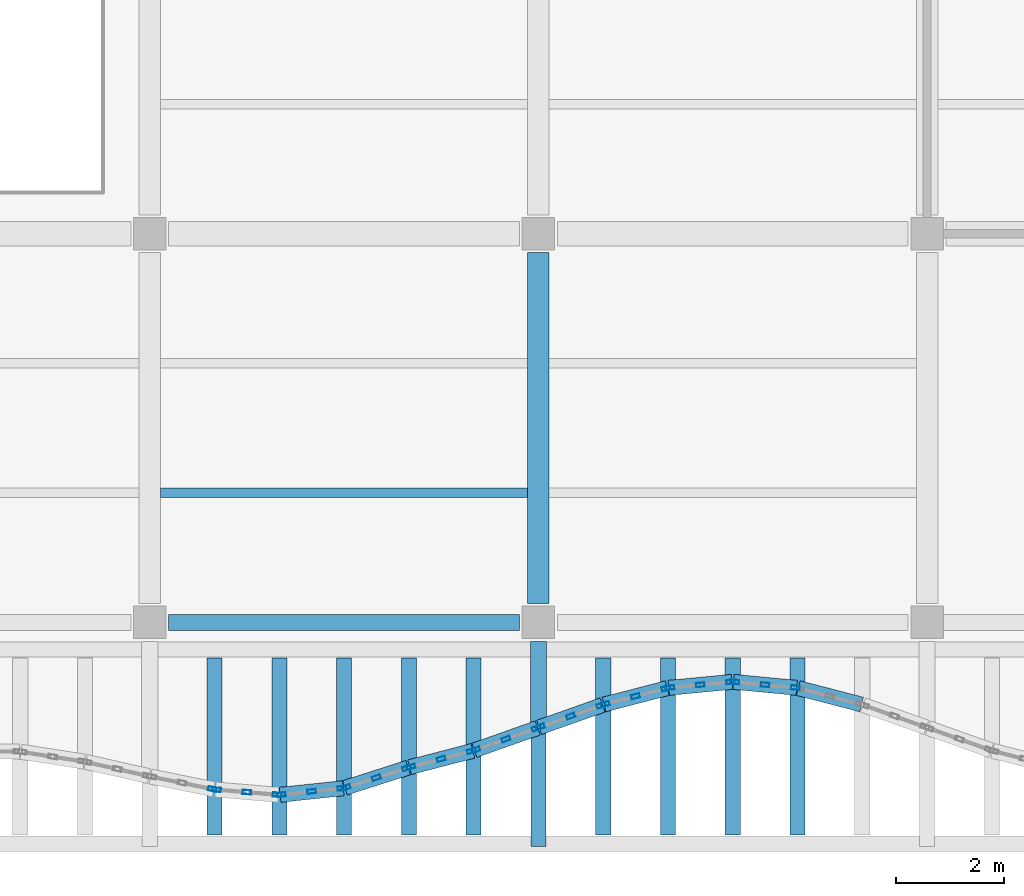
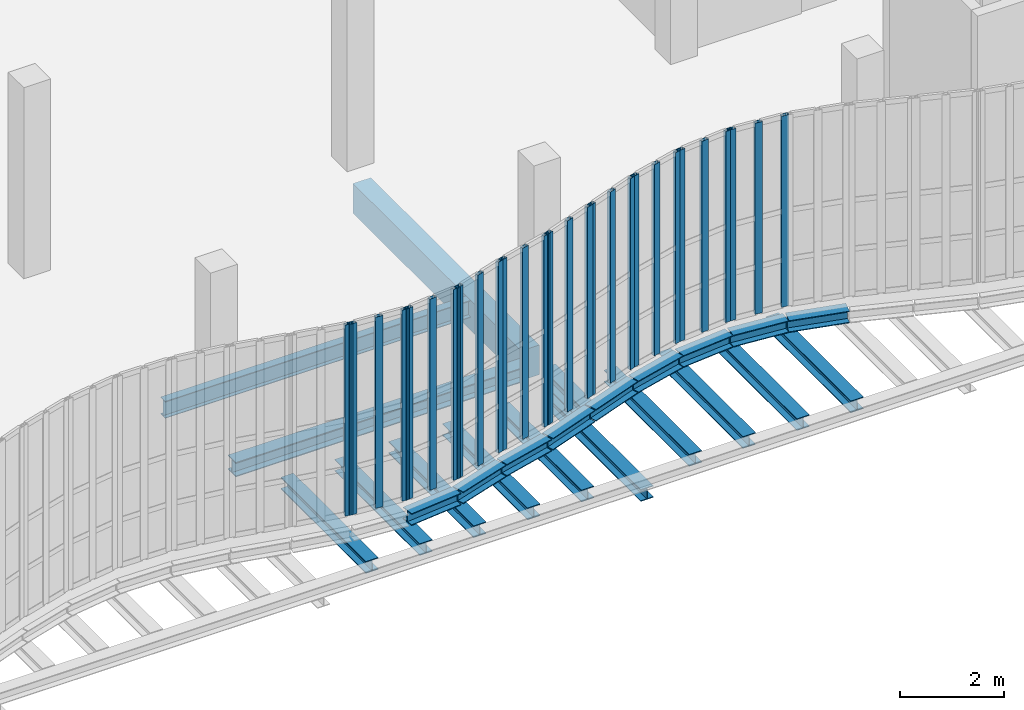
# One storey, part 29 of 105: 28 members, 23 beams, 10 elements without a shape of their own.
"""IFC4 building model written with IfcOpenShell, lengths in metres."""

from ifc_helpers import new_model, si_unit, direction, frame, origin, origin_2d, place, context, subcontext, project, spatial, rectangle, hollow_rectangle, i_section, extrude, material, layer, layer_set, material_profile, profile_set, type_object, element, aggregate, save


model = new_model("IFC4")

# Units and contexts
model_context = context("Model", 3, precision=1e-05, world=origin(), true_north=direction((0.0, 1.0)))
body_context = subcontext(model_context, "Body", "Model", "MODEL_VIEW")
ifc_project = project(units=[si_unit("LENGTHUNIT", "METRE"), si_unit("AREAUNIT", "SQUARE_METRE"), si_unit("VOLUMEUNIT", "CUBIC_METRE"), si_unit("PLANEANGLEUNIT", "RADIAN"), si_unit("MASSUNIT", "GRAM", prefix="KILO"), si_unit("THERMODYNAMICTEMPERATUREUNIT", "KELVIN"), si_unit("POWERUNIT", "WATT")], contexts=[model_context])

# Site, building, storey
site_placement = place(None, origin())
site = spatial("IfcSite", under=ifc_project, at=site_placement, CompositionType="ELEMENT")
building_placement = place(site_placement, origin())
building = spatial("IfcBuilding", under=site, at=building_placement, Name="Kaldorven Railside Theatre", CompositionType="ELEMENT")
storey_placement = place(building_placement, frame((0.0, 0.0, 9.89990234375)))
storey = spatial("IfcBuildingStorey", under=building, at=storey_placement, Name="L02", CompositionType="ELEMENT", Elevation=9.89990234375)

# Beams
ifc_material_1 = material(Name="Steel S355", Category="steel")
ifc_material_profile_1 = material_profile(ifc_material_1, i_section(OverallWidth=0.280029296875, OverallDepth=0.280029296875, WebThickness=0.010498046875, FlangeThickness=0.01806640625, at=origin_2d()), Name="HEB 280")
ifc_profile_set_1 = profile_set([ifc_material_profile_1], Name="Steel S355")
beam_type_1 = type_object("IfcBeamType", Name="BM-HEB280", PredefinedType="SPANDREL", material=ifc_profile_set_1)
beam_1_placement = place(storey_placement, frame((94.39990234375, 15.050048828125, -0.97998046875), z_axis=(0.0, 1.0, 0.0), x_axis=(-1.0, 0.0, 0.0)))
element("IfcBeam", 1, at=beam_1_placement, inside=storey, type_object=beam_type_1, Name="L02 Sinusoidal Lower Cantilever Girder FOB-K021", PredefinedType="SPANDREL", context=body_context, shape_type="SweptSolid", body=[
    extrude(i_section(OverallWidth=0.280029296875, OverallDepth=0.280029296875, WebThickness=0.010498046875, FlangeThickness=0.01806640625, at=origin_2d()), origin(), (0.0, 0.0, 1.0), 3.800048828125),
])
beam_2_placement = place(storey_placement, frame((88.39990234375, 15.260009765625, -0.699951171875), z_axis=(0.0, 1.0, 0.0), x_axis=(-1.0, 0.0, 0.0)))
element("IfcBeam", 2, at=beam_2_placement, inside=storey, type_object=beam_type_1, Name="L02 Sinusoidal Diaphragm Rib Outrigger FOB-M116", PredefinedType="SPANDREL", context=body_context, shape_type="SweptSolid", body=[
    extrude(i_section(OverallWidth=0.280029296875, OverallDepth=0.280029296875, WebThickness=0.010498046875, FlangeThickness=0.01806640625, at=origin_2d()), origin(), (0.0, 0.0, 1.0), 3.280029296875),
])
beam_3_placement = place(storey_placement, frame((89.614990234375, 16.005859375, -0.419921875), z_axis=(0.994538375892, 0.104371542473, 0.0), x_axis=(-0.104371542473, 0.994538375892, 0.0)))
element("IfcBeam", 3, at=beam_3_placement, inside=storey, type_object=beam_type_1, Name="L02 Sinusoidal Flute Edge Spandrel FSB-117", PredefinedType="SPANDREL", context=body_context, shape_type="SweptSolid", body=[
    extrude(i_section(OverallWidth=0.280029296875, OverallDepth=0.280029296875, WebThickness=0.010498046875, FlangeThickness=0.01806640625, at=origin_2d()), origin(), (0.0, 0.0, 1.0), 1.176513671875),
])
beam_4_placement = place(storey_placement, frame((89.60009765625, 15.260009765625, -0.699951171875), z_axis=(0.0, 1.0, 0.0), x_axis=(-1.0, 0.0, 0.0)))
element("IfcBeam", 4, at=beam_4_placement, inside=storey, type_object=beam_type_1, Name="L02 Sinusoidal Diaphragm Rib Outrigger FOB-M117", PredefinedType="SPANDREL", context=body_context, shape_type="SweptSolid", body=[
    extrude(i_section(OverallWidth=0.280029296875, OverallDepth=0.280029296875, WebThickness=0.010498046875, FlangeThickness=0.01806640625, at=origin_2d()), origin(), (0.0, 0.0, 1.0), 3.280029296875),
])
beam_5_placement = place(storey_placement, frame((90.814208984375, 16.135009765625, -0.419921875), z_axis=(0.952560057376, 0.304350681108, 0.0), x_axis=(-0.304350681108, 0.952560057376, 0.0)))
element("IfcBeam", 5, at=beam_5_placement, inside=storey, type_object=beam_type_1, Name="L02 Sinusoidal Flute Edge Spandrel FSB-118", PredefinedType="SPANDREL", context=body_context, shape_type="SweptSolid", body=[
    extrude(i_section(OverallWidth=0.280029296875, OverallDepth=0.280029296875, WebThickness=0.010498046875, FlangeThickness=0.01806640625, at=origin_2d()), origin(), (0.0, 0.0, 1.0), 1.229736328125),
])
beam_6_placement = place(storey_placement, frame((90.800048828125, 15.260009765625, -0.699951171875), z_axis=(0.0, 1.0, 0.0), x_axis=(-1.0, 0.0, 0.0)))
element("IfcBeam", 6, at=beam_6_placement, inside=storey, type_object=beam_type_1, Name="L02 Sinusoidal Diaphragm Rib Outrigger FOB-M118", PredefinedType="SPANDREL", context=body_context, shape_type="SweptSolid", body=[
    extrude(i_section(OverallWidth=0.280029296875, OverallDepth=0.280029296875, WebThickness=0.010498046875, FlangeThickness=0.01806640625, at=origin_2d()), origin(), (0.0, 0.0, 1.0), 3.280029296875),
])
beam_7_placement = place(storey_placement, frame((92.014404296875, 16.517578125, -0.419921875), z_axis=(0.967980555895, 0.25102518481, 0.0), x_axis=(-0.25102518481, 0.967980555895, 0.0)))
element("IfcBeam", 7, at=beam_7_placement, inside=storey, type_object=beam_type_1, Name="L02 Sinusoidal Flute Edge Spandrel FSB-119", PredefinedType="SPANDREL", context=body_context, shape_type="SweptSolid", body=[
    extrude(i_section(OverallWidth=0.280029296875, OverallDepth=0.280029296875, WebThickness=0.010498046875, FlangeThickness=0.01806640625, at=origin_2d()), origin(), (0.0, 0.0, 1.0), 1.2099609375),
])
beam_8_placement = place(storey_placement, frame((92.0, 15.260009765625, -0.699951171875), z_axis=(0.0, 1.0, 0.0), x_axis=(-1.0, 0.0, 0.0)))
element("IfcBeam", 8, at=beam_8_placement, inside=storey, type_object=beam_type_1, Name="L02 Sinusoidal Diaphragm Rib Outrigger FOB-M119", PredefinedType="SPANDREL", context=body_context, shape_type="SweptSolid", body=[
    extrude(i_section(OverallWidth=0.280029296875, OverallDepth=0.280029296875, WebThickness=0.010498046875, FlangeThickness=0.01806640625, at=origin_2d()), origin(), (0.0, 0.0, 1.0), 3.280029296875),
])
beam_9_placement = place(storey_placement, frame((93.214111328125, 16.830078125, -0.419921875), z_axis=(0.942627225161, 0.333847142245, 0.0), x_axis=(-0.333847142245, 0.942627225161, 0.0)))
element("IfcBeam", 9, at=beam_9_placement, inside=storey, type_object=beam_type_1, Name="L02 Sinusoidal Flute Edge Spandrel FSB-120", PredefinedType="SPANDREL", context=body_context, shape_type="SweptSolid", body=[
    extrude(i_section(OverallWidth=0.280029296875, OverallDepth=0.280029296875, WebThickness=0.010498046875, FlangeThickness=0.01806640625, at=origin_2d()), origin(), (0.0, 0.0, 1.0), 1.2431640625),
])
beam_10_placement = place(storey_placement, frame((93.199951171875, 15.260009765625, -0.699951171875), z_axis=(0.0, 1.0, 0.0), x_axis=(-1.0, 0.0, 0.0)))
element("IfcBeam", 10, at=beam_10_placement, inside=storey, type_object=beam_type_1, Name="L02 Sinusoidal Diaphragm Rib Outrigger FOB-M120", PredefinedType="SPANDREL", context=body_context, shape_type="SweptSolid", body=[
    extrude(i_section(OverallWidth=0.280029296875, OverallDepth=0.280029296875, WebThickness=0.010498046875, FlangeThickness=0.01806640625, at=origin_2d()), origin(), (0.0, 0.0, 1.0), 3.280029296875),
])
beam_11_placement = place(storey_placement, frame((94.4140625, 17.2548828125, -0.419921875), z_axis=(0.942627225161, 0.333847142245, 0.0), x_axis=(-0.333847142245, 0.942627225161, 0.0)))
element("IfcBeam", 11, at=beam_11_placement, inside=storey, type_object=beam_type_1, Name="L02 Sinusoidal Flute Edge Spandrel FSB-121", PredefinedType="SPANDREL", context=body_context, shape_type="SweptSolid", body=[
    extrude(i_section(OverallWidth=0.280029296875, OverallDepth=0.280029296875, WebThickness=0.010498046875, FlangeThickness=0.01806640625, at=origin_2d()), origin(), (0.0, 0.0, 1.0), 1.2431640625),
])
beam_12_placement = place(storey_placement, frame((95.614501953125, 17.6787109375, -0.419921875), z_axis=(0.967967836725, 0.251074226206, 0.0), x_axis=(-0.251074226206, 0.967967836725, 0.0)))
element("IfcBeam", 12, at=beam_12_placement, inside=storey, type_object=beam_type_1, Name="L02 Sinusoidal Flute Edge Spandrel FSB-122", PredefinedType="SPANDREL", context=body_context, shape_type="SweptSolid", body=[
    extrude(i_section(OverallWidth=0.280029296875, OverallDepth=0.280029296875, WebThickness=0.010498046875, FlangeThickness=0.01806640625, at=origin_2d()), origin(), (0.0, 0.0, 1.0), 1.209716796875),
])
beam_13_placement = place(storey_placement, frame((95.60009765625, 15.260009765625, -0.699951171875), z_axis=(0.0, 1.0, 0.0), x_axis=(-1.0, 0.0, 0.0)))
element("IfcBeam", 13, at=beam_13_placement, inside=storey, type_object=beam_type_1, Name="L02 Sinusoidal Diaphragm Rib Outrigger FOB-M122", PredefinedType="SPANDREL", context=body_context, shape_type="SweptSolid", body=[
    extrude(i_section(OverallWidth=0.280029296875, OverallDepth=0.280029296875, WebThickness=0.010498046875, FlangeThickness=0.01806640625, at=origin_2d()), origin(), (0.0, 0.0, 1.0), 3.280029296875),
])
beam_14_placement = place(storey_placement, frame((96.81494140625, 17.987548828125, -0.419921875), z_axis=(0.99552436473, 0.094505233873, 0.0), x_axis=(-0.094505233873, 0.99552436473, 0.0)))
element("IfcBeam", 14, at=beam_14_placement, inside=storey, type_object=beam_type_1, Name="L02 Sinusoidal Flute Edge Spandrel FSB-123", PredefinedType="SPANDREL", context=body_context, shape_type="SweptSolid", body=[
    extrude(i_section(OverallWidth=0.280029296875, OverallDepth=0.280029296875, WebThickness=0.010498046875, FlangeThickness=0.01806640625, at=origin_2d()), origin(), (0.0, 0.0, 1.0), 1.175537109375),
])
beam_15_placement = place(storey_placement, frame((96.800048828125, 15.260009765625, -0.699951171875), z_axis=(0.0, 1.0, 0.0), x_axis=(-1.0, 0.0, 0.0)))
element("IfcBeam", 15, at=beam_15_placement, inside=storey, type_object=beam_type_1, Name="L02 Sinusoidal Diaphragm Rib Outrigger FOB-M123", PredefinedType="SPANDREL", context=body_context, shape_type="SweptSolid", body=[
    extrude(i_section(OverallWidth=0.280029296875, OverallDepth=0.280029296875, WebThickness=0.010498046875, FlangeThickness=0.01806640625, at=origin_2d()), origin(), (0.0, 0.0, 1.0), 3.280029296875),
])
beam_16_placement = place(storey_placement, frame((98.014892578125, 18.0986328125, -0.419921875), z_axis=(0.99552436473, -0.094505233873, 0.0), x_axis=(0.094505233873, 0.99552436473, 0.0)))
element("IfcBeam", 16, at=beam_16_placement, inside=storey, type_object=beam_type_1, Name="L02 Sinusoidal Flute Edge Spandrel FSB-124", PredefinedType="SPANDREL", context=body_context, shape_type="SweptSolid", body=[
    extrude(i_section(OverallWidth=0.280029296875, OverallDepth=0.280029296875, WebThickness=0.010498046875, FlangeThickness=0.01806640625, at=origin_2d()), origin(), (0.0, 0.0, 1.0), 1.175537109375),
])
beam_17_placement = place(storey_placement, frame((98.0, 15.260009765625, -0.699951171875), z_axis=(0.0, 1.0, 0.0), x_axis=(-1.0, 0.0, 0.0)))
element("IfcBeam", 17, at=beam_17_placement, inside=storey, type_object=beam_type_1, Name="L02 Sinusoidal Diaphragm Rib Outrigger FOB-M124", PredefinedType="SPANDREL", context=body_context, shape_type="SweptSolid", body=[
    extrude(i_section(OverallWidth=0.280029296875, OverallDepth=0.280029296875, WebThickness=0.010498046875, FlangeThickness=0.01806640625, at=origin_2d()), origin(), (0.0, 0.0, 1.0), 3.280029296875),
])
beam_18_placement = place(storey_placement, frame((99.214599609375, 17.982421875, -0.419921875), z_axis=(0.967967836725, -0.251074226206, 0.0), x_axis=(0.251074226206, 0.967967836725, 0.0)))
element("IfcBeam", 18, at=beam_18_placement, inside=storey, type_object=beam_type_1, Name="L02 Sinusoidal Flute Edge Spandrel FSB-125", PredefinedType="SPANDREL", context=body_context, shape_type="SweptSolid", body=[
    extrude(i_section(OverallWidth=0.280029296875, OverallDepth=0.280029296875, WebThickness=0.010498046875, FlangeThickness=0.01806640625, at=origin_2d()), origin(), (0.0, 0.0, 1.0), 1.209716796875),
])
beam_19_placement = place(storey_placement, frame((99.199951171875, 15.260009765625, -0.699951171875), z_axis=(0.0, 1.0, 0.0), x_axis=(-1.0, 0.0, 0.0)))
element("IfcBeam", 19, at=beam_19_placement, inside=storey, type_object=beam_type_1, Name="L02 Sinusoidal Diaphragm Rib Outrigger FOB-M125", PredefinedType="SPANDREL", context=body_context, shape_type="SweptSolid", body=[
    extrude(i_section(OverallWidth=0.280029296875, OverallDepth=0.280029296875, WebThickness=0.010498046875, FlangeThickness=0.01806640625, at=origin_2d()), origin(), (0.0, 0.0, 1.0), 3.280029296875),
])
ifc_material_profile_2 = material_profile(ifc_material_1, i_section(OverallWidth=0.300048828125, OverallDepth=0.340087890625, WebThickness=0.011962890625, FlangeThickness=0.021484375, at=origin_2d()), Name="HEB 340")
ifc_profile_set_2 = profile_set([ifc_material_profile_2], Name="Steel S355")
beam_type_2 = type_object("IfcBeamType", Name="BM-HEB340", PredefinedType="SPANDREL", material=ifc_profile_set_2)
beam_20_placement = place(storey_placement, frame((87.550048828125, 19.199951171875, -0.449951171875), z_axis=(1.0, 0.0, 0.0), x_axis=(0.0, 1.0, 0.0)))
element("IfcBeam", 20, at=beam_20_placement, inside=storey, type_object=beam_type_2, Name="L02 Girder BGX-L02-087-019", PredefinedType="SPANDREL", context=body_context, shape_type="SweptSolid", body=[
    extrude(i_section(OverallWidth=0.300048828125, OverallDepth=0.340087890625, WebThickness=0.011962890625, FlangeThickness=0.021484375, at=origin_2d()), origin(), (0.0, 0.0, 1.0), 6.5),
])
beam_21_placement = place(storey_placement, frame((94.39990234375, 17.31005859375, -0.449951171875), z_axis=(0.0, 1.0, 0.0), x_axis=(-1.0, 0.0, 0.0)))
element("IfcBeam", 21, at=beam_21_placement, inside=storey, type_object=beam_type_2, Name="L02 Sinusoidal Veil Outrigger FOB-2094", PredefinedType="SPANDREL", context=body_context, shape_type="SweptSolid", body=[
    extrude(i_section(OverallWidth=0.300048828125, OverallDepth=0.340087890625, WebThickness=0.011962890625, FlangeThickness=0.021484375, at=origin_2d()), origin(), (0.0, 0.0, 1.0), 1.5400390625),
])
ifc_material_profile_3 = material_profile(ifc_material_1, i_section(OverallWidth=0.179931640625, OverallDepth=0.39990234375, WebThickness=0.008544921875, FlangeThickness=0.013427734375, at=origin_2d()), Name="IPE 400")
ifc_profile_set_3 = profile_set([ifc_material_profile_3], Name="Steel S355")
beam_type_3 = type_object("IfcBeamType", Name="BM-IPE400", PredefinedType="JOIST", material=ifc_profile_set_3)
beam_22_placement = place(storey_placement, frame((87.39990234375, 21.60009765625, -0.47998046875), z_axis=(1.0, 0.0, 0.0), x_axis=(0.0, 1.0, 0.0)))
element("IfcBeam", 22, at=beam_22_placement, inside=storey, type_object=beam_type_3, Name="L02 Secondary Floor Joist JG-L02-087-0216", PredefinedType="JOIST", context=body_context, shape_type="SweptSolid", body=[
    extrude(i_section(OverallWidth=0.179931640625, OverallDepth=0.39990234375, WebThickness=0.008544921875, FlangeThickness=0.013427734375, at=origin_2d()), origin(), (0.0, 0.0, 1.0), 6.800048828125),
])
ifc_material_2 = material(Name="Concrete C40/50", Category="concrete")
ifc_material_profile_4 = material_profile(ifc_material_2, rectangle(XDim=0.39990234375, YDim=0.699951171875, at=origin_2d()), Name="RC 400x700")
ifc_profile_set_4 = profile_set([ifc_material_profile_4], Name="Concrete C40/50")
beam_type_4 = type_object("IfcBeamType", Name="BM-RC400x700", PredefinedType="BEAM", material=ifc_profile_set_4)
beam_23_placement = place(storey_placement, frame((94.39990234375, 19.550048828125, -0.6298828125), z_axis=(0.0, 1.0, 0.0), x_axis=(-1.0, 0.0, 0.0)))
element("IfcBeam", 23, at=beam_23_placement, inside=storey, type_object=beam_type_4, Name="L02 Girder BGY-L02-094-019-72", PredefinedType="BEAM", context=body_context, shape_type="SweptSolid", body=[
    extrude(rectangle(XDim=0.39990234375, YDim=0.699951171875, at=origin_2d()), origin(), (0.0, 0.0, 1.0), 6.5),
])

# Curtain wall, member
ifc_material_3 = material(Name="Low-E laminated solar-control glass", Category="glass")
ifc_layer_1 = layer(ifc_material_3, 0.159912109375, Name="Low-E laminated solar-control glass")
ifc_layer_set_1 = layer_set([ifc_layer_1], Name="Low-E laminated solar-control glass")
curtain_wall_type_1 = type_object("IfcCurtainWallType", Name="CWT-07", PredefinedType="USERDEFINED", material=ifc_layer_set_1)
curtain_wall_1_placement = place(storey_placement, origin())
curtain_wall_1 = element("IfcCurtainWall", 24, at=curtain_wall_1_placement, inside=storey, type_object=curtain_wall_type_1, Name="Sinusoidal Fluted Curtain Wall CW-L02-S43", ObjectType="FLUTED GLAZING", PredefinedType="USERDEFINED")
ifc_material_4 = material(Name="Anodised bronze aluminium", Category="aluminium")
ifc_material_profile_5 = material_profile(ifc_material_4, hollow_rectangle(XDim=0.080078125, YDim=0.159912109375, WallThickness=0.00634765625, at=origin_2d()), Name="RHS 160x80x6.3")
ifc_profile_set_5 = profile_set([ifc_material_profile_5], Name="Anodised bronze aluminium")
member_type = type_object("IfcMemberType", Name="CWM-160", PredefinedType="MULLION", material=ifc_profile_set_5)
member_1_placement = place(storey_placement, frame((88.36083984375, 16.1123046875, 0.0), z_axis=(0.0, 0.0, 1.0), x_axis=(0.198393134453, 0.980122525097, 0.0)))
member_1 = element("IfcMember", 25, at=member_1_placement, type_object=member_type, Name="CW-L02-S43 mullion 3", PredefinedType="MULLION", context=body_context, shape_type="SweptSolid", body=[
    extrude(hollow_rectangle(XDim=0.080078125, YDim=0.159912109375, WallThickness=0.00634765625, at=origin_2d()), origin(), (0.0, 0.0, 1.0), 4.5),
])
aggregate(curtain_wall_1, [member_1])

# Curtain wall, members
ifc_layer_2 = layer(ifc_material_3, 0.159912109375, Name="Low-E laminated solar-control glass")
ifc_layer_set_2 = layer_set([ifc_layer_2], Name="Low-E laminated solar-control glass")
curtain_wall_type_2 = type_object("IfcCurtainWallType", Name="CWT-03", PredefinedType="USERDEFINED", material=ifc_layer_set_2)
curtain_wall_2_placement = place(storey_placement, origin())
curtain_wall_2 = element("IfcCurtainWall", 26, at=curtain_wall_2_placement, inside=storey, type_object=curtain_wall_type_2, Name="Sinusoidal Fluted Curtain Wall CW-L02-S44", ObjectType="FLUTED GLAZING", PredefinedType="USERDEFINED")
member_2_placement = place(storey_placement, frame((88.43994140625, 16.10107421875, 0.0), z_axis=(0.0, 0.0, 1.0), x_axis=(0.08321042194, 0.996531999326, 0.0)))
member_2 = element("IfcMember", 27, at=member_2_placement, type_object=member_type, Name="CW-L02-S44 mullion 1", PredefinedType="MULLION", context=body_context, shape_type="SweptSolid", body=[
    extrude(hollow_rectangle(XDim=0.080078125, YDim=0.159912109375, WallThickness=0.00634765625, at=origin_2d()), origin(), (0.0, 0.0, 1.0), 4.5),
])
member_3_placement = place(storey_placement, frame((89.0, 16.05419921875, 0.0), z_axis=(0.0, 0.0, 1.0), x_axis=(0.08321042194, 0.996531999326, 0.0)))
member_3 = element("IfcMember", 28, at=member_3_placement, type_object=member_type, Name="CW-L02-S44 mullion 2", PredefinedType="MULLION", context=body_context, shape_type="SweptSolid", body=[
    extrude(hollow_rectangle(XDim=0.080078125, YDim=0.159912109375, WallThickness=0.00634765625, at=origin_2d()), origin(), (0.0, 0.0, 1.0), 4.5),
])
member_4_placement = place(storey_placement, frame((89.56005859375, 16.007568359375, 0.0), z_axis=(0.0, 0.0, 1.0), x_axis=(0.08321042194, 0.996531999326, 0.0)))
member_4 = element("IfcMember", 29, at=member_4_placement, type_object=member_type, Name="CW-L02-S44 mullion 3", PredefinedType="MULLION", context=body_context, shape_type="SweptSolid", body=[
    extrude(hollow_rectangle(XDim=0.080078125, YDim=0.159912109375, WallThickness=0.00634765625, at=origin_2d()), origin(), (0.0, 0.0, 1.0), 4.5),
])
aggregate(curtain_wall_2, [member_2, member_3, member_4])

curtain_wall_3_placement = place(storey_placement, origin())
curtain_wall_3 = element("IfcCurtainWall", 30, at=curtain_wall_3_placement, inside=storey, type_object=curtain_wall_type_2, Name="Sinusoidal Fluted Curtain Wall CW-L02-S45", ObjectType="FLUTED GLAZING", PredefinedType="USERDEFINED")
member_5_placement = place(storey_placement, frame((89.639892578125, 16.00830078125, 0.0), z_axis=(0.0, 0.0, 1.0), x_axis=(-0.104507902898, 0.994524056135, 0.0)))
member_5 = element("IfcMember", 31, at=member_5_placement, type_object=member_type, Name="CW-L02-S45 mullion 1", PredefinedType="MULLION", context=body_context, shape_type="SweptSolid", body=[
    extrude(hollow_rectangle(XDim=0.080078125, YDim=0.159912109375, WallThickness=0.00634765625, at=origin_2d()), origin(), (0.0, 0.0, 1.0), 4.5),
])
member_6_placement = place(storey_placement, frame((90.199951171875, 16.067138671875, 0.0), z_axis=(0.0, 0.0, 1.0), x_axis=(-0.104507902898, 0.994524056135, 0.0)))
member_6 = element("IfcMember", 32, at=member_6_placement, type_object=member_type, Name="CW-L02-S45 mullion 2", PredefinedType="MULLION", context=body_context, shape_type="SweptSolid", body=[
    extrude(hollow_rectangle(XDim=0.080078125, YDim=0.159912109375, WallThickness=0.00634765625, at=origin_2d()), origin(), (0.0, 0.0, 1.0), 4.5),
])
member_7_placement = place(storey_placement, frame((90.76025390625, 16.126220703125, 0.0), z_axis=(0.0, 0.0, 1.0), x_axis=(-0.104507902898, 0.994524056135, 0.0)))
member_7 = element("IfcMember", 33, at=member_7_placement, type_object=member_type, Name="CW-L02-S45 mullion 3", PredefinedType="MULLION", context=body_context, shape_type="SweptSolid", body=[
    extrude(hollow_rectangle(XDim=0.080078125, YDim=0.159912109375, WallThickness=0.00634765625, at=origin_2d()), origin(), (0.0, 0.0, 1.0), 4.5),
])
aggregate(curtain_wall_3, [member_5, member_6, member_7])

ifc_layer_3 = layer(ifc_material_3, 0.159912109375, Name="Low-E laminated solar-control glass")
ifc_layer_set_3 = layer_set([ifc_layer_3], Name="Low-E laminated solar-control glass")
curtain_wall_type_3 = type_object("IfcCurtainWallType", Name="CWT-04", PredefinedType="USERDEFINED", material=ifc_layer_set_3)
curtain_wall_4_placement = place(storey_placement, origin())
curtain_wall_4 = element("IfcCurtainWall", 34, at=curtain_wall_4_placement, inside=storey, type_object=curtain_wall_type_3, Name="Sinusoidal Fluted Curtain Wall CW-L02-S46", ObjectType="FLUTED GLAZING", PredefinedType="USERDEFINED")
member_8_placement = place(storey_placement, frame((90.838134765625, 16.142578125, 0.0), z_axis=(0.0, 0.0, 1.0), x_axis=(-0.304487700272, 0.952516267779, 0.0)))
member_8 = element("IfcMember", 35, at=member_8_placement, type_object=member_type, Name="CW-L02-S46 mullion 1", PredefinedType="MULLION", context=body_context, shape_type="SweptSolid", body=[
    extrude(hollow_rectangle(XDim=0.080078125, YDim=0.159912109375, WallThickness=0.00634765625, at=origin_2d()), origin(), (0.0, 0.0, 1.0), 4.5),
])
member_9_placement = place(storey_placement, frame((91.39990234375, 16.322021484375, 0.0), z_axis=(0.0, 0.0, 1.0), x_axis=(-0.304487700272, 0.952516267779, 0.0)))
member_9 = element("IfcMember", 36, at=member_9_placement, type_object=member_type, Name="CW-L02-S46 mullion 2", PredefinedType="MULLION", context=body_context, shape_type="SweptSolid", body=[
    extrude(hollow_rectangle(XDim=0.080078125, YDim=0.159912109375, WallThickness=0.00634765625, at=origin_2d()), origin(), (0.0, 0.0, 1.0), 4.5),
])
member_10_placement = place(storey_placement, frame((91.9619140625, 16.501708984375, 0.0), z_axis=(0.0, 0.0, 1.0), x_axis=(-0.304487700272, 0.952516267779, 0.0)))
member_10 = element("IfcMember", 37, at=member_10_placement, type_object=member_type, Name="CW-L02-S46 mullion 3", PredefinedType="MULLION", context=body_context, shape_type="SweptSolid", body=[
    extrude(hollow_rectangle(XDim=0.080078125, YDim=0.159912109375, WallThickness=0.00634765625, at=origin_2d()), origin(), (0.0, 0.0, 1.0), 4.5),
])
aggregate(curtain_wall_4, [member_8, member_9, member_10])

ifc_layer_4 = layer(ifc_material_3, 0.159912109375, Name="Low-E laminated solar-control glass")
ifc_layer_set_4 = layer_set([ifc_layer_4], Name="Low-E laminated solar-control glass")
curtain_wall_type_4 = type_object("IfcCurtainWallType", Name="CWT-02", PredefinedType="USERDEFINED", material=ifc_layer_set_4)
curtain_wall_5_placement = place(storey_placement, origin())
curtain_wall_5 = element("IfcCurtainWall", 38, at=curtain_wall_5_placement, inside=storey, type_object=curtain_wall_type_4, Name="Sinusoidal Fluted Curtain Wall CW-L02-S47", ObjectType="FLUTED GLAZING", PredefinedType="USERDEFINED")
member_11_placement = place(storey_placement, frame((92.038818359375, 16.52392578125, 0.0), z_axis=(0.0, 0.0, 1.0), x_axis=(-0.250953760326, 0.967999075505, 0.0)))
member_11 = element("IfcMember", 39, at=member_11_placement, type_object=member_type, Name="CW-L02-S47 mullion 1", PredefinedType="MULLION", context=body_context, shape_type="SweptSolid", body=[
    extrude(hollow_rectangle(XDim=0.080078125, YDim=0.159912109375, WallThickness=0.00634765625, at=origin_2d()), origin(), (0.0, 0.0, 1.0), 4.5),
])
member_12_placement = place(storey_placement, frame((92.60009765625, 16.66943359375, 0.0), z_axis=(0.0, 0.0, 1.0), x_axis=(-0.250953760326, 0.967999075505, 0.0)))
member_12 = element("IfcMember", 40, at=member_12_placement, type_object=member_type, Name="CW-L02-S47 mullion 2", PredefinedType="MULLION", context=body_context, shape_type="SweptSolid", body=[
    extrude(hollow_rectangle(XDim=0.080078125, YDim=0.159912109375, WallThickness=0.00634765625, at=origin_2d()), origin(), (0.0, 0.0, 1.0), 4.5),
])
member_13_placement = place(storey_placement, frame((93.161376953125, 16.81494140625, 0.0), z_axis=(0.0, 0.0, 1.0), x_axis=(-0.250953760326, 0.967999075505, 0.0)))
member_13 = element("IfcMember", 41, at=member_13_placement, type_object=member_type, Name="CW-L02-S47 mullion 3", PredefinedType="MULLION", context=body_context, shape_type="SweptSolid", body=[
    extrude(hollow_rectangle(XDim=0.080078125, YDim=0.159912109375, WallThickness=0.00634765625, at=origin_2d()), origin(), (0.0, 0.0, 1.0), 4.5),
])
aggregate(curtain_wall_5, [member_11, member_12, member_13])

ifc_layer_5 = layer(ifc_material_3, 0.159912109375, Name="Low-E laminated solar-control glass")
ifc_layer_set_5 = layer_set([ifc_layer_5], Name="Low-E laminated solar-control glass")
curtain_wall_type_5 = type_object("IfcCurtainWallType", Name="CWT-01", PredefinedType="USERDEFINED", material=ifc_layer_set_5)
curtain_wall_6_placement = place(storey_placement, origin())
curtain_wall_6 = element("IfcCurtainWall", 42, at=curtain_wall_6_placement, inside=storey, type_object=curtain_wall_type_5, Name="Sinusoidal Fluted Curtain Wall CW-L02-S48", ObjectType="FLUTED GLAZING", PredefinedType="USERDEFINED")
member_14_placement = place(storey_placement, frame((93.23779296875, 16.83837890625, 0.0), z_axis=(0.0, 0.0, 1.0), x_axis=(-0.33384714225, 0.942627225159, 0.0)))
member_14 = element("IfcMember", 43, at=member_14_placement, type_object=member_type, Name="CW-L02-S48 mullion 1", PredefinedType="MULLION", context=body_context, shape_type="SweptSolid", body=[
    extrude(hollow_rectangle(XDim=0.080078125, YDim=0.159912109375, WallThickness=0.00634765625, at=origin_2d()), origin(), (0.0, 0.0, 1.0), 4.5),
])
member_15_placement = place(storey_placement, frame((93.800048828125, 17.03759765625, 0.0), z_axis=(0.0, 0.0, 1.0), x_axis=(-0.33384714225, 0.942627225159, 0.0)))
member_15 = element("IfcMember", 44, at=member_15_placement, type_object=member_type, Name="CW-L02-S48 mullion 2", PredefinedType="MULLION", context=body_context, shape_type="SweptSolid", body=[
    extrude(hollow_rectangle(XDim=0.080078125, YDim=0.159912109375, WallThickness=0.00634765625, at=origin_2d()), origin(), (0.0, 0.0, 1.0), 4.5),
])
member_16_placement = place(storey_placement, frame((94.3623046875, 17.236572265625, 0.0), z_axis=(0.0, 0.0, 1.0), x_axis=(-0.33384714225, 0.942627225159, 0.0)))
member_16 = element("IfcMember", 45, at=member_16_placement, type_object=member_type, Name="CW-L02-S48 mullion 3", PredefinedType="MULLION", context=body_context, shape_type="SweptSolid", body=[
    extrude(hollow_rectangle(XDim=0.080078125, YDim=0.159912109375, WallThickness=0.00634765625, at=origin_2d()), origin(), (0.0, 0.0, 1.0), 4.5),
])
aggregate(curtain_wall_6, [member_14, member_15, member_16])

curtain_wall_7_placement = place(storey_placement, origin())
curtain_wall_7 = element("IfcCurtainWall", 46, at=curtain_wall_7_placement, inside=storey, type_object=curtain_wall_type_5, Name="Sinusoidal Fluted Curtain Wall CW-L02-S49", ObjectType="FLUTED GLAZING", PredefinedType="USERDEFINED")
member_17_placement = place(storey_placement, frame((94.437744140625, 17.263427734375, 0.0), z_axis=(0.0, 0.0, 1.0), x_axis=(-0.33384714225, 0.942627225159, 0.0)))
member_17 = element("IfcMember", 47, at=member_17_placement, type_object=member_type, Name="CW-L02-S49 mullion 1", PredefinedType="MULLION", context=body_context, shape_type="SweptSolid", body=[
    extrude(hollow_rectangle(XDim=0.080078125, YDim=0.159912109375, WallThickness=0.00634765625, at=origin_2d()), origin(), (0.0, 0.0, 1.0), 4.5),
])
member_18_placement = place(storey_placement, frame((95.0, 17.46240234375, 0.0), z_axis=(0.0, 0.0, 1.0), x_axis=(-0.33384714225, 0.942627225159, 0.0)))
member_18 = element("IfcMember", 48, at=member_18_placement, type_object=member_type, Name="CW-L02-S49 mullion 2", PredefinedType="MULLION", context=body_context, shape_type="SweptSolid", body=[
    extrude(hollow_rectangle(XDim=0.080078125, YDim=0.159912109375, WallThickness=0.00634765625, at=origin_2d()), origin(), (0.0, 0.0, 1.0), 4.5),
])
member_19_placement = place(storey_placement, frame((95.562255859375, 17.66162109375, 0.0), z_axis=(0.0, 0.0, 1.0), x_axis=(-0.33384714225, 0.942627225159, 0.0)))
member_19 = element("IfcMember", 49, at=member_19_placement, type_object=member_type, Name="CW-L02-S49 mullion 3", PredefinedType="MULLION", context=body_context, shape_type="SweptSolid", body=[
    extrude(hollow_rectangle(XDim=0.080078125, YDim=0.159912109375, WallThickness=0.00634765625, at=origin_2d()), origin(), (0.0, 0.0, 1.0), 4.5),
])
aggregate(curtain_wall_7, [member_17, member_18, member_19])

curtain_wall_8_placement = place(storey_placement, origin())
curtain_wall_8 = element("IfcCurtainWall", 50, at=curtain_wall_8_placement, inside=storey, type_object=curtain_wall_type_4, Name="Sinusoidal Fluted Curtain Wall CW-L02-S50", ObjectType="FLUTED GLAZING", PredefinedType="USERDEFINED")
member_20_placement = place(storey_placement, frame((95.638671875, 17.68505859375, 0.0), z_axis=(0.0, 0.0, 1.0), x_axis=(-0.250953760326, 0.967999075505, 0.0)))
member_20 = element("IfcMember", 51, at=member_20_placement, type_object=member_type, Name="CW-L02-S50 mullion 1", PredefinedType="MULLION", context=body_context, shape_type="SweptSolid", body=[
    extrude(hollow_rectangle(XDim=0.080078125, YDim=0.159912109375, WallThickness=0.00634765625, at=origin_2d()), origin(), (0.0, 0.0, 1.0), 4.5),
])
member_21_placement = place(storey_placement, frame((96.199951171875, 17.83056640625, 0.0), z_axis=(0.0, 0.0, 1.0), x_axis=(-0.250953760326, 0.967999075505, 0.0)))
member_21 = element("IfcMember", 52, at=member_21_placement, type_object=member_type, Name="CW-L02-S50 mullion 2", PredefinedType="MULLION", context=body_context, shape_type="SweptSolid", body=[
    extrude(hollow_rectangle(XDim=0.080078125, YDim=0.159912109375, WallThickness=0.00634765625, at=origin_2d()), origin(), (0.0, 0.0, 1.0), 4.5),
])
member_22_placement = place(storey_placement, frame((96.76123046875, 17.97607421875, 0.0), z_axis=(0.0, 0.0, 1.0), x_axis=(-0.250953760326, 0.967999075505, 0.0)))
member_22 = element("IfcMember", 53, at=member_22_placement, type_object=member_type, Name="CW-L02-S50 mullion 3", PredefinedType="MULLION", context=body_context, shape_type="SweptSolid", body=[
    extrude(hollow_rectangle(XDim=0.080078125, YDim=0.159912109375, WallThickness=0.00634765625, at=origin_2d()), origin(), (0.0, 0.0, 1.0), 4.5),
])
aggregate(curtain_wall_8, [member_20, member_21, member_22])

curtain_wall_9_placement = place(storey_placement, origin())
curtain_wall_9 = element("IfcCurtainWall", 54, at=curtain_wall_9_placement, inside=storey, type_object=curtain_wall_type_2, Name="Sinusoidal Fluted Curtain Wall CW-L02-S51", ObjectType="FLUTED GLAZING", PredefinedType="USERDEFINED")
member_23_placement = place(storey_placement, frame((96.83984375, 17.989990234375, 0.0), z_axis=(0.0, 0.0, 1.0), x_axis=(-0.094491973758, 0.995525623425, 0.0)))
member_23 = element("IfcMember", 55, at=member_23_placement, type_object=member_type, Name="CW-L02-S51 mullion 1", PredefinedType="MULLION", context=body_context, shape_type="SweptSolid", body=[
    extrude(hollow_rectangle(XDim=0.080078125, YDim=0.159912109375, WallThickness=0.00634765625, at=origin_2d()), origin(), (0.0, 0.0, 1.0), 4.5),
])
member_24_placement = place(storey_placement, frame((97.39990234375, 18.04296875, 0.0), z_axis=(0.0, 0.0, 1.0), x_axis=(-0.094491973758, 0.995525623425, 0.0)))
member_24 = element("IfcMember", 56, at=member_24_placement, type_object=member_type, Name="CW-L02-S51 mullion 2", PredefinedType="MULLION", context=body_context, shape_type="SweptSolid", body=[
    extrude(hollow_rectangle(XDim=0.080078125, YDim=0.159912109375, WallThickness=0.00634765625, at=origin_2d()), origin(), (0.0, 0.0, 1.0), 4.5),
])
member_25_placement = place(storey_placement, frame((97.960205078125, 18.09619140625, 0.0), z_axis=(0.0, 0.0, 1.0), x_axis=(-0.094491973758, 0.995525623425, 0.0)))
member_25 = element("IfcMember", 57, at=member_25_placement, type_object=member_type, Name="CW-L02-S51 mullion 3", PredefinedType="MULLION", context=body_context, shape_type="SweptSolid", body=[
    extrude(hollow_rectangle(XDim=0.080078125, YDim=0.159912109375, WallThickness=0.00634765625, at=origin_2d()), origin(), (0.0, 0.0, 1.0), 4.5),
])
aggregate(curtain_wall_9, [member_23, member_24, member_25])

curtain_wall_10_placement = place(storey_placement, origin())
curtain_wall_10 = element("IfcCurtainWall", 58, at=curtain_wall_10_placement, inside=storey, type_object=curtain_wall_type_2, Name="Sinusoidal Fluted Curtain Wall CW-L02-S52", ObjectType="FLUTED GLAZING", PredefinedType="USERDEFINED")
member_26_placement = place(storey_placement, frame((98.039794921875, 18.09619140625, 0.0), z_axis=(0.0, 0.0, 1.0), x_axis=(0.094491973758, 0.995525623425, 0.0)))
member_26 = element("IfcMember", 59, at=member_26_placement, type_object=member_type, Name="CW-L02-S52 mullion 1", PredefinedType="MULLION", context=body_context, shape_type="SweptSolid", body=[
    extrude(hollow_rectangle(XDim=0.080078125, YDim=0.159912109375, WallThickness=0.00634765625, at=origin_2d()), origin(), (0.0, 0.0, 1.0), 4.5),
])
member_27_placement = place(storey_placement, frame((98.60009765625, 18.04296875, 0.0), z_axis=(0.0, 0.0, 1.0), x_axis=(0.094491973758, 0.995525623425, 0.0)))
member_27 = element("IfcMember", 60, at=member_27_placement, type_object=member_type, Name="CW-L02-S52 mullion 2", PredefinedType="MULLION", context=body_context, shape_type="SweptSolid", body=[
    extrude(hollow_rectangle(XDim=0.080078125, YDim=0.159912109375, WallThickness=0.00634765625, at=origin_2d()), origin(), (0.0, 0.0, 1.0), 4.5),
])
member_28_placement = place(storey_placement, frame((99.16015625, 17.989990234375, 0.0), z_axis=(0.0, 0.0, 1.0), x_axis=(0.094491973758, 0.995525623425, 0.0)))
member_28 = element("IfcMember", 61, at=member_28_placement, type_object=member_type, Name="CW-L02-S52 mullion 3", PredefinedType="MULLION", context=body_context, shape_type="SweptSolid", body=[
    extrude(hollow_rectangle(XDim=0.080078125, YDim=0.159912109375, WallThickness=0.00634765625, at=origin_2d()), origin(), (0.0, 0.0, 1.0), 4.5),
])
aggregate(curtain_wall_10, [member_26, member_27, member_28])

save(model, "model.ifc")
